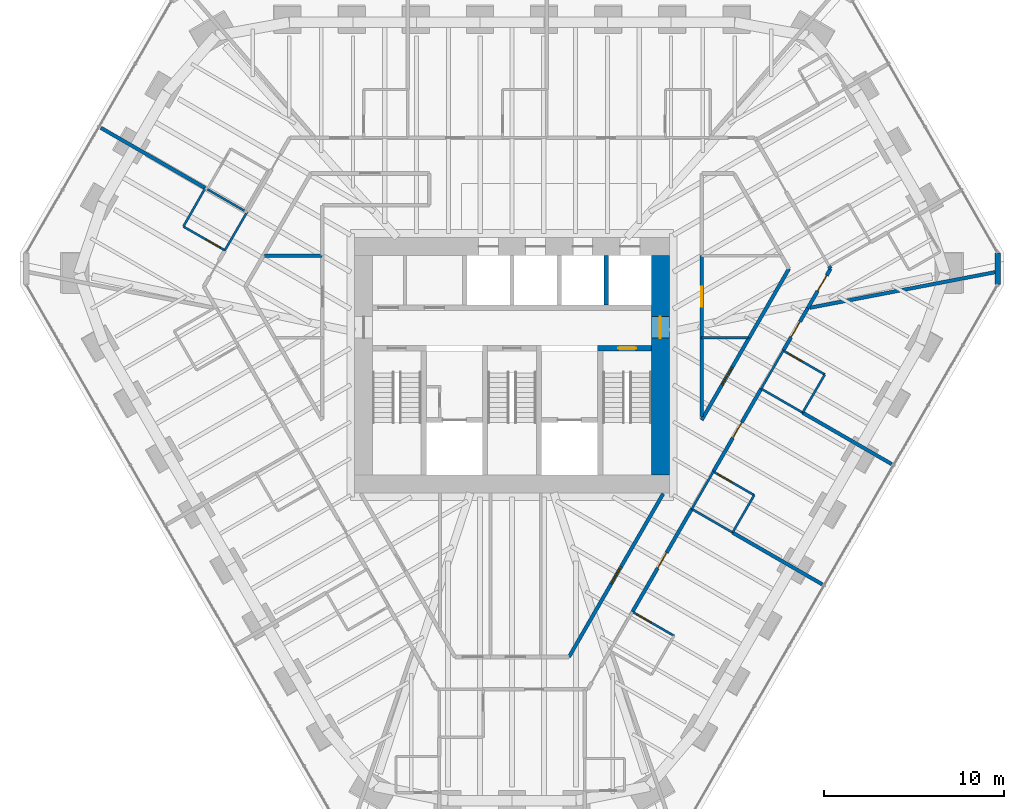
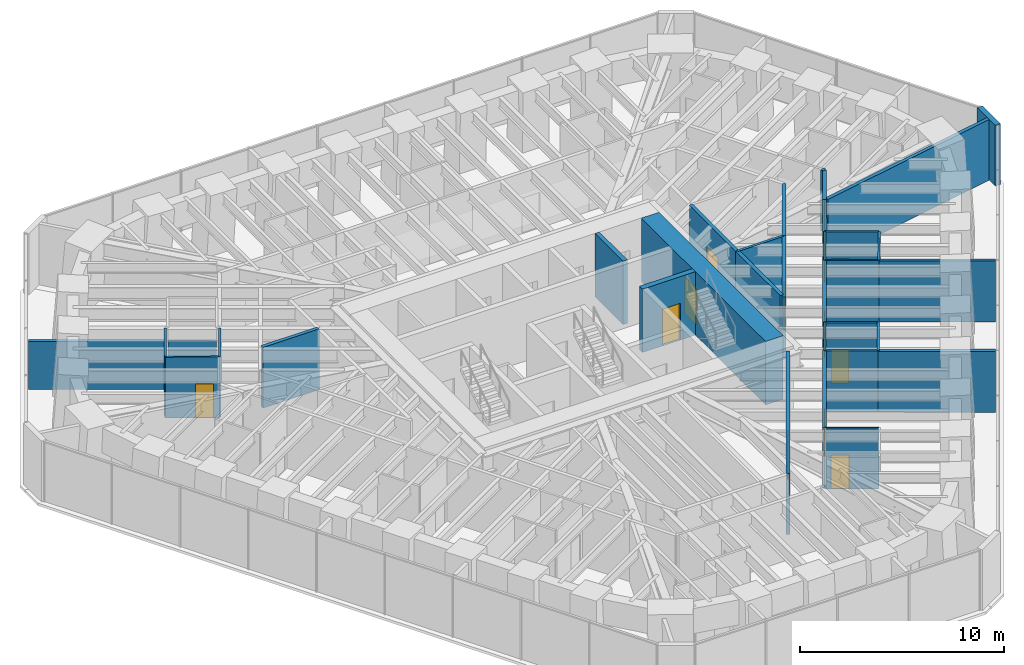
# One storey, part 13 of 16: 33 walls, 13 doors, 13 openings.
"""IFC4 building model written with IfcOpenShell, lengths in metres."""

from ifc_helpers import new_model, si_unit, direction, frame, frame_2d, origin, place, context, subcontext, project, spatial, rectangle, extrude, material, layer, layer_set, type_object, element, fill, save


model = new_model("IFC4")

# Units and contexts
model_context = context("Model", 3, precision=1e-05, world=origin(), true_north=direction((0.0, 1.0)))
body_context = subcontext(model_context, "Body", "Model", "MODEL_VIEW")
ifc_project = project(units=[si_unit("LENGTHUNIT", "METRE"), si_unit("AREAUNIT", "SQUARE_METRE"), si_unit("VOLUMEUNIT", "CUBIC_METRE"), si_unit("PLANEANGLEUNIT", "RADIAN"), si_unit("MASSUNIT", "GRAM", prefix="KILO")], contexts=[model_context])

# Site, building, storey
site_placement = place(None, origin())
site = spatial("IfcSite", under=ifc_project, at=site_placement, CompositionType="ELEMENT")
building_placement = place(site_placement, origin())
building = spatial("IfcBuilding", under=site, at=building_placement, Name="Sandreach Pilgrim Tower", CompositionType="ELEMENT")
storey_placement = place(building_placement, frame((0.0, 0.0, 244.0)))
storey = spatial("IfcBuildingStorey", under=building, at=storey_placement, Name="L61", CompositionType="ELEMENT", Elevation=244.0)

# Wall
ifc_material_1 = material(Name="Gypsum board on steel studs", Category="steel")
ifc_layer_1 = layer(ifc_material_1, 0.14990234375)
ifc_layer_set_1 = layer_set([ifc_layer_1], Name="Back of house wall 150")
wall_type_1 = type_object("IfcWallType", Name="Back of house wall 150", PredefinedType="PARTITIONING", material=ifc_layer_set_1)
wall_1_placement = place(storey_placement, frame((10.550048828125, 1.52001953125, 0.0), z_axis=(0.0, 0.0, 1.0), x_axis=(1.0, 0.0, 0.0)))
element("IfcWall", 1, at=wall_1_placement, inside=storey, type_object=wall_type_1, Name="Back of house wall L61-101", PredefinedType="PARTITIONING", context=body_context, shape_type="SweptSolid", body=[
    extrude(rectangle(XDim=2.5849609375, YDim=0.14990234375, at=frame_2d((1.29248046875, 0.0))), origin(), (0.0, 0.0, 1.0), 3.639892578125),
])

# Wall, opening, door
ifc_material_2 = material(Name="Moisture-resistant gypsum board on steel studs", Category="steel")
ifc_layer_2 = layer(ifc_material_2, 0.1201171875)
ifc_layer_set_2 = layer_set([ifc_layer_2], Name="Bathroom partition 120")
wall_type_2 = type_object("IfcWallType", Name="Bathroom partition 120", PredefinedType="PARTITIONING", material=ifc_layer_set_2)
wall_2_placement = place(storey_placement, frame((-18.280029296875, 7.7099609375, 0.0), z_axis=(0.0, 0.0, 1.0), x_axis=(0.868277022428, -0.496079643125, 0.0)))
wall_2 = element("IfcWall", 2, at=wall_2_placement, inside=storey, type_object=wall_type_2, Name="Bathroom partition L61-005", PredefinedType="PARTITIONING", context=body_context, shape_type="SweptSolid", body=[
    extrude(rectangle(XDim=2.660400390625, YDim=0.1201171875, at=frame_2d((1.330078125, 0.0))), origin(), (0.0, 0.0, 1.0), 3.639892578125),
])
opening_1_placement = place(wall_2_placement, frame((1.46044921875, 0.0, 0.0)))
opening_1 = element("IfcOpeningElement", 3, at=opening_1_placement, cuts=wall_2, Name="Opening D09-16B", PredefinedType="OPENING", context=body_context, shape_type="SweptSolid", body=[
    extrude(rectangle(XDim=0.89990234375, YDim=2.030029296875, at=frame_2d((0.449951171875, 1.01513671875))), frame((0.0, 0.06005859375, 0.0), z_axis=(0.0, -1.0, 0.0), x_axis=(1.0, 0.0, 0.0)), (0.0, 0.0, 1.0), 0.1201171875),
])
ifc_material_3 = material(Name="Timber door, steel frame", Category="steel")
door_type_1 = type_object("IfcDoorType", Name="Bathroom door", OperationType="SINGLE_SWING_LEFT", PredefinedType="DOOR", material=ifc_material_3)
door_1_placement = place(opening_1_placement, origin())
door_1 = element("IfcDoor", 4, at=door_1_placement, inside=storey, type_object=door_type_1, Name="Door 6116B", OperationType="SINGLE_SWING_RIGHT", OverallHeight=2.030029296875, OverallWidth=0.89990234375, PredefinedType="DOOR", context=body_context, shape_type="SweptSolid", body=[
    extrude(rectangle(XDim=0.89990234375, YDim=2.030029296875, at=frame_2d((0.449951171875, 1.01513671875))), frame((0.0, 0.02490234375, 0.0), z_axis=(0.0, -1.0, 0.0), x_axis=(1.0, 0.0, 0.0)), (0.0, 0.0, 1.0), 0.050048828125),
])
fill(opening_1, door_1)

# Walls
wall_3_placement = place(storey_placement, frame((-17.06005859375, 9.85009765625, 0.0), z_axis=(0.0, 0.0, 1.0), x_axis=(-0.495231468673, -0.868761067518, 0.0)))
element("IfcWall", 5, at=wall_3_placement, inside=storey, type_object=wall_type_2, Name="Bathroom partition L61-009", PredefinedType="PARTITIONING", context=body_context, shape_type="SweptSolid", body=[
    extrude(rectangle(XDim=2.46337890625, YDim=0.1201171875, at=frame_2d((1.231689453125, 0.0))), origin(), (0.0, 0.0, 1.0), 3.639892578125),
])
wall_4_placement = place(storey_placement, frame((-16.95166015625, 9.787109375, 0.0), z_axis=(0.0, 0.0, 1.0), x_axis=(0.865015303714, -0.501745477648, 0.0)))
element("IfcWall", 6, at=wall_4_placement, inside=storey, type_object=wall_type_2, Name="Bathroom partition L61-011", PredefinedType="PARTITIONING", context=body_context, shape_type="SweptSolid", body=[
    extrude(rectangle(XDim=2.4013671875, YDim=0.1201171875, at=frame_2d((1.20068359375, 0.0))), origin(), (0.0, 0.0, 1.0), 2.8779296875),
])
wall_5_placement = place(storey_placement, frame((-14.739990234375, 8.510009765625, 0.0), z_axis=(0.0, 0.0, 1.0), x_axis=(-0.501813488763, -0.864975850817, 0.0)))
element("IfcWall", 7, at=wall_5_placement, inside=storey, type_object=wall_type_2, Name="Bathroom partition L61-021", PredefinedType="PARTITIONING", context=body_context, shape_type="SweptSolid", body=[
    extrude(rectangle(XDim=2.451171875, YDim=0.1201171875, at=frame_2d((1.2255859375, 0.0))), origin(), (0.0, 0.0, 1.0), 3.639892578125),
])

# Wall, opening, door
wall_6_placement = place(storey_placement, frame((9.010009765625, -15.050048828125, 0.0), z_axis=(0.0, 0.0, 1.0), x_axis=(-0.866615255992, 0.498976951453, 0.0)))
wall_6 = element("IfcWall", 8, at=wall_6_placement, inside=storey, type_object=wall_type_2, Name="Bathroom partition L61-096", PredefinedType="PARTITIONING", context=body_context, shape_type="SweptSolid", body=[
    extrude(rectangle(XDim=2.66552734375, YDim=0.1201171875, at=frame_2d((1.332763671875, 0.0))), origin(), (0.0, 0.0, 1.0), 3.639892578125),
])
opening_2_placement = place(wall_6_placement, frame((1.465576171875, 0.0, 0.0)))
opening_2 = element("IfcOpeningElement", 9, at=opening_2_placement, cuts=wall_6, Name="Opening D09-09B", PredefinedType="OPENING", context=body_context, shape_type="SweptSolid", body=[
    extrude(rectangle(XDim=0.89990234375, YDim=2.030029296875, at=frame_2d((0.449951171875, 1.01513671875))), frame((0.0, 0.06005859375, 0.0), z_axis=(0.0, -1.0, 0.0), x_axis=(1.0, 0.0, 0.0)), (0.0, 0.0, 1.0), 0.1201171875),
])
door_2_placement = place(opening_2_placement, origin())
door_2 = element("IfcDoor", 10, at=door_2_placement, inside=storey, type_object=door_type_1, Name="Door 6109B", OperationType="SINGLE_SWING_RIGHT", OverallHeight=2.030029296875, OverallWidth=0.89990234375, PredefinedType="DOOR", context=body_context, shape_type="SweptSolid", body=[
    extrude(rectangle(XDim=0.89990234375, YDim=2.030029296875, at=frame_2d((0.449951171875, 1.01513671875))), frame((0.0, 0.02490234375, 0.0), z_axis=(0.0, -1.0, 0.0), x_axis=(1.0, 0.0, 0.0)), (0.0, 0.0, 1.0), 0.050048828125),
])
fill(opening_2, door_2)

# Walls
wall_7_placement = place(storey_placement, frame((10.0, -8.0, 0.0), z_axis=(0.0, 0.0, 1.0), x_axis=(0.499693115345, 0.866202511239, 0.0)))
element("IfcWall", 11, at=wall_7_placement, inside=storey, type_object=wall_type_2, Name="Bathroom partition L61-097", PredefinedType="PARTITIONING", context=body_context, shape_type="SweptSolid", body=[
    extrude(rectangle(XDim=2.4013671875, YDim=0.1201171875, at=frame_2d((1.20068359375, 0.0))), origin(), (0.0, 0.0, 1.0), 3.639892578125),
])
wall_8_placement = place(storey_placement, frame((10.0, -8.0, 0.0), z_axis=(0.0, 0.0, 1.0), x_axis=(0.866010296064, -0.500026166427, 0.0)))
element("IfcWall", 12, at=wall_8_placement, inside=storey, type_object=wall_type_2, Name="Bathroom partition L61-098", PredefinedType="PARTITIONING", context=body_context, shape_type="SweptSolid", body=[
    extrude(rectangle(XDim=2.620849609375, YDim=0.1201171875, at=frame_2d((1.310546875, 0.0))), origin(), (0.0, 0.0, 1.0), 3.639892578125),
])
wall_9_placement = place(storey_placement, frame((12.27001953125, -9.31005859375, 0.0), z_axis=(0.0, 0.0, 1.0), x_axis=(0.499693115345, 0.866202511239, 0.0)))
element("IfcWall", 13, at=wall_9_placement, inside=storey, type_object=wall_type_2, Name="Bathroom partition L61-110", PredefinedType="PARTITIONING", context=body_context, shape_type="SweptSolid", body=[
    extrude(rectangle(XDim=2.4013671875, YDim=0.1201171875, at=frame_2d((1.20068359375, 0.0))), origin(), (0.0, 0.0, 1.0), 3.639892578125),
])

# Wall, opening, door
wall_10_placement = place(storey_placement, frame((13.469970703125, -7.22998046875, 0.0), z_axis=(0.0, 0.0, 1.0), x_axis=(-0.866114241029, 0.499846097802, 0.0)))
wall_10 = element("IfcWall", 14, at=wall_10_placement, inside=storey, type_object=wall_type_2, Name="Bathroom partition L61-113", PredefinedType="PARTITIONING", context=body_context, shape_type="SweptSolid", body=[
    extrude(rectangle(XDim=2.620849609375, YDim=0.1201171875, at=frame_2d((1.310546875, 0.0))), origin(), (0.0, 0.0, 1.0), 3.639892578125),
])
opening_3_placement = place(wall_10_placement, frame((1.4208984375, 0.0, 0.0)))
opening_3 = element("IfcOpeningElement", 15, at=opening_3_placement, cuts=wall_10, Name="Opening D09-08B", PredefinedType="OPENING", context=body_context, shape_type="SweptSolid", body=[
    extrude(rectangle(XDim=0.89990234375, YDim=2.030029296875, at=frame_2d((0.449951171875, 1.01513671875))), frame((0.0, 0.06005859375, 0.0), z_axis=(0.0, -1.0, 0.0), x_axis=(1.0, 0.0, 0.0)), (0.0, 0.0, 1.0), 0.1201171875),
])
door_3_placement = place(opening_3_placement, origin())
door_3 = element("IfcDoor", 16, at=door_3_placement, inside=storey, type_object=door_type_1, Name="Door 6108B", OperationType="SINGLE_SWING_RIGHT", OverallHeight=2.030029296875, OverallWidth=0.89990234375, PredefinedType="DOOR", context=body_context, shape_type="SweptSolid", body=[
    extrude(rectangle(XDim=0.89990234375, YDim=2.030029296875, at=frame_2d((0.449951171875, 1.01513671875))), frame((0.0, 0.02490234375, 0.0), z_axis=(0.0, -1.0, 0.0), x_axis=(1.0, 0.0, 0.0)), (0.0, 0.0, 1.0), 0.050048828125),
])
fill(opening_3, door_3)

# Walls
wall_11_placement = place(storey_placement, frame((13.860107421875, -1.31005859375, 0.0), z_axis=(0.0, 0.0, 1.0), x_axis=(0.501813488763, 0.864975850817, 0.0)))
element("IfcWall", 17, at=wall_11_placement, inside=storey, type_object=wall_type_2, Name="Bathroom partition L61-118", PredefinedType="PARTITIONING", context=body_context, shape_type="SweptSolid", body=[
    extrude(rectangle(XDim=2.451171875, YDim=0.1201171875, at=frame_2d((1.2255859375, 0.0))), origin(), (0.0, 0.0, 1.0), 3.639892578125),
])
wall_12_placement = place(storey_placement, frame((16.169921875, -2.639892578125, 0.0), z_axis=(0.0, 0.0, 1.0), x_axis=(-0.86663205897, 0.498947767172, 0.0)))
element("IfcWall", 18, at=wall_12_placement, inside=storey, type_object=wall_type_2, Name="Bathroom partition L61-125", PredefinedType="PARTITIONING", context=body_context, shape_type="SweptSolid", body=[
    extrude(rectangle(XDim=2.665283203125, YDim=0.1201171875, at=frame_2d((1.33251953125, 0.0))), origin(), (0.0, 0.0, 1.0), 3.639892578125),
])
wall_13_placement = place(storey_placement, frame((16.169921875, -2.639892578125, 0.0), z_axis=(0.0, 0.0, 1.0), x_axis=(0.501856726365, 0.86495076519, 0.0)))
element("IfcWall", 19, at=wall_13_placement, inside=storey, type_object=wall_type_2, Name="Bathroom partition L61-126", PredefinedType="PARTITIONING", context=body_context, shape_type="SweptSolid", body=[
    extrude(rectangle(XDim=2.450927734375, YDim=0.1201171875, at=frame_2d((1.2255859375, 0.0))), origin(), (0.0, 0.0, 1.0), 3.639892578125),
])

# Wall, opening, door
wall_14_placement = place(storey_placement, frame((17.39990234375, -0.52001953125, 0.0), z_axis=(0.0, 0.0, 1.0), x_axis=(-0.866592449628, 0.499016559092, 0.0)))
wall_14 = element("IfcWall", 20, at=wall_14_placement, inside=storey, type_object=wall_type_2, Name="Bathroom partition L61-130", PredefinedType="PARTITIONING", context=body_context, shape_type="SweptSolid", body=[
    extrude(rectangle(XDim=2.665283203125, YDim=0.1201171875, at=frame_2d((1.33251953125, 0.0))), origin(), (0.0, 0.0, 1.0), 3.639892578125),
])
opening_4_placement = place(wall_14_placement, frame((1.465576171875, 0.0, 0.0)))
opening_4 = element("IfcOpeningElement", 21, at=opening_4_placement, cuts=wall_14, Name="Opening D09-07B", PredefinedType="OPENING", context=body_context, shape_type="SweptSolid", body=[
    extrude(rectangle(XDim=0.89990234375, YDim=2.030029296875, at=frame_2d((0.449951171875, 1.01513671875))), frame((0.0, 0.06005859375, 0.0), z_axis=(0.0, -1.0, 0.0), x_axis=(1.0, 0.0, 0.0)), (0.0, 0.0, 1.0), 0.1201171875),
])
door_4_placement = place(opening_4_placement, origin())
door_4 = element("IfcDoor", 22, at=door_4_placement, inside=storey, type_object=door_type_1, Name="Door 6107B", OperationType="SINGLE_SWING_RIGHT", OverallHeight=2.030029296875, OverallWidth=0.89990234375, PredefinedType="DOOR", context=body_context, shape_type="SweptSolid", body=[
    extrude(rectangle(XDim=0.89990234375, YDim=2.030029296875, at=frame_2d((0.449951171875, 1.01513671875))), frame((0.0, 0.02490234375, 0.0), z_axis=(0.0, -1.0, 0.0), x_axis=(1.0, 0.0, 0.0)), (0.0, 0.0, 1.0), 0.050048828125),
])
fill(opening_4, door_4)

ifc_material_4 = material(Name="Concrete 10000 psi", Category="concrete")
ifc_layer_3 = layer(ifc_material_4, 0.300048828125)
ifc_layer_set_3 = layer_set([ifc_layer_3], Name="Core inner wall 300")
wall_type_3 = type_object("IfcWallType", Name="Core inner wall 300", PredefinedType="SHEAR", material=ifc_layer_set_3)
wall_15_placement = place(storey_placement, frame((4.75, 0.949951171875, 0.0), z_axis=(0.0, 0.0, 1.0), x_axis=(1.0, 0.0, 0.0)))
wall_15 = element("IfcWall", 23, at=wall_15_placement, inside=storey, type_object=wall_type_3, Name="Core wall SN2 L61", PredefinedType="SHEAR", context=body_context, shape_type="SweptSolid", body=[
    extrude(rectangle(XDim=3.0, YDim=0.300048828125, at=frame_2d((1.5, 0.0))), origin(), (0.0, 0.0, 1.0), 3.800048828125),
])
opening_5_placement = place(wall_15_placement, frame((1.14990234375, 0.0, 0.0)))
opening_5 = element("IfcOpeningElement", 24, at=opening_5_placement, cuts=wall_15, Name="Opening D10S-ST2", PredefinedType="OPENING", context=body_context, shape_type="SweptSolid", body=[
    extrude(rectangle(XDim=1.0, YDim=2.199951171875, at=frame_2d((0.5, 1.10009765625))), frame((0.0, 0.14990234375, 0.0), z_axis=(0.0, -1.0, 0.0), x_axis=(1.0, 0.0, 0.0)), (0.0, 0.0, 1.0), 0.300048828125),
])
ifc_material_5 = material(Name="Steel door and frame", Category="steel")
door_type_2 = type_object("IfcDoorType", Name="Stair door", OperationType="SINGLE_SWING_LEFT", PredefinedType="DOOR", material=ifc_material_5)
door_5_placement = place(opening_5_placement, origin())
door_5 = element("IfcDoor", 25, at=door_5_placement, inside=storey, type_object=door_type_2, Name="Stair door ST2 L61", OperationType="SINGLE_SWING_RIGHT", OverallHeight=2.199951171875, OverallWidth=1.0, PredefinedType="DOOR", context=body_context, shape_type="SweptSolid", body=[
    extrude(rectangle(XDim=1.0, YDim=2.199951171875, at=frame_2d((0.5, 1.10009765625))), frame((0.0, 0.02490234375, 0.0), z_axis=(0.0, -1.0, 0.0), x_axis=(1.0, 0.0, 0.0)), (0.0, 0.0, 1.0), 0.050048828125),
])
fill(opening_5, door_5)

ifc_material_6 = material(Name="Concrete 10000 psi", Category="concrete")
ifc_layer_4 = layer(ifc_material_6, 1.0)
ifc_layer_set_4 = layer_set([ifc_layer_4], Name="Core wall 1000")
wall_type_4 = type_object("IfcWallType", Name="Core wall 1000", PredefinedType="SHEAR", material=ifc_layer_set_4)
wall_16_placement = place(storey_placement, frame((8.25, -6.10009765625, 0.0), z_axis=(0.0, 0.0, 1.0), x_axis=(0.0, 1.0, 0.0)))
wall_16 = element("IfcWall", 26, at=wall_16_placement, inside=storey, type_object=wall_type_4, Name="Core wall E L61", PredefinedType="SHEAR", context=body_context, shape_type="SweptSolid", body=[
    extrude(rectangle(XDim=12.2001953125, YDim=1.0, at=frame_2d((6.10009765625, 0.0))), origin(), (0.0, 0.0, 1.0), 3.800048828125),
])
opening_6_placement = place(wall_16_placement, frame((7.60009765625, 0.0, 0.0)))
opening_6 = element("IfcOpeningElement", 27, at=opening_6_placement, cuts=wall_16, Name="Opening D12F-E", PredefinedType="OPENING", context=body_context, shape_type="SweptSolid", body=[
    extrude(rectangle(XDim=1.199951171875, YDim=2.199951171875, at=frame_2d((0.60009765625, 1.10009765625))), frame((0.0, 0.5, 0.0), z_axis=(0.0, -1.0, 0.0), x_axis=(1.0, 0.0, 0.0)), (0.0, 0.0, 1.0), 1.0),
])
ifc_material_7 = material(Name="Steel door and frame", Category="steel")
door_type_3 = type_object("IfcDoorType", Name="Fire lobby door", OperationType="SINGLE_SWING_LEFT", PredefinedType="DOOR", material=ifc_material_7)
door_6_placement = place(opening_6_placement, origin())
door_6 = element("IfcDoor", 28, at=door_6_placement, inside=storey, type_object=door_type_3, Name="Fire service lobby door E L61", OperationType="SINGLE_SWING_RIGHT", OverallHeight=2.199951171875, OverallWidth=1.199951171875, PredefinedType="DOOR", context=body_context, shape_type="SweptSolid", body=[
    extrude(rectangle(XDim=1.199951171875, YDim=2.199951171875, at=frame_2d((0.60009765625, 1.10009765625))), frame((0.0, 0.02490234375, 0.0), z_axis=(0.0, -1.0, 0.0), x_axis=(1.0, 0.0, 0.0)), (0.0, 0.0, 1.0), 0.050048828125),
])
fill(opening_6, door_6)

ifc_material_8 = material(Name="Gypsum board on steel studs, two layers each side", Category="steel")
ifc_layer_5 = layer(ifc_material_8, 0.199951171875)
ifc_layer_set_5 = layer_set([ifc_layer_5], Name="Corridor wall 200")
wall_type_5 = type_object("IfcWallType", Name="Corridor wall 200", PredefinedType="PARTITIONING", material=ifc_layer_set_5)
wall_17_placement = place(storey_placement, frame((6.699951171875, -13.719970703125, 0.0), z_axis=(0.0, 0.0, 1.0), x_axis=(0.499729921425, 0.866181277581, 0.0)))
wall_17 = element("IfcWall", 29, at=wall_17_placement, inside=storey, type_object=wall_type_5, Name="Corridor wall L61-091", PredefinedType="PARTITIONING", context=body_context, shape_type="SweptSolid", body=[
    extrude(rectangle(XDim=6.603759765625, YDim=0.199951171875, at=frame_2d((3.3017578125, 0.0))), origin(), (0.0, 0.0, 1.0), 3.639892578125),
])
opening_7_placement = place(wall_17_placement, frame((2.8017578125, 0.0, 0.0)))
opening_7 = element("IfcOpeningElement", 30, at=opening_7_placement, cuts=wall_17, Name="Opening D10-09", PredefinedType="OPENING", context=body_context, shape_type="SweptSolid", body=[
    extrude(rectangle(XDim=1.0, YDim=2.1298828125, at=frame_2d((0.5, 1.06494140625))), frame((0.0, 0.10009765625, 0.0), z_axis=(0.0, -1.0, 0.0), x_axis=(1.0, 0.0, 0.0)), (0.0, 0.0, 1.0), 0.199951171875),
])
ifc_material_9 = material(Name="Steel door and frame", Category="steel")
door_type_4 = type_object("IfcDoorType", Name="Guest room entry door", OperationType="SINGLE_SWING_LEFT", PredefinedType="DOOR", material=ifc_material_9)
door_7_placement = place(opening_7_placement, origin())
door_7 = element("IfcDoor", 31, at=door_7_placement, inside=storey, type_object=door_type_4, Name="Door 6109", OperationType="SINGLE_SWING_LEFT", OverallHeight=2.1298828125, OverallWidth=1.0, PredefinedType="DOOR", context=body_context, shape_type="SweptSolid", body=[
    extrude(rectangle(XDim=1.0, YDim=2.1298828125, at=frame_2d((0.5, 1.06494140625))), frame((0.0, 0.02490234375, 0.0), z_axis=(0.0, -1.0, 0.0), x_axis=(1.0, 0.0, 0.0)), (0.0, 0.0, 1.0), 0.050048828125),
])
fill(opening_7, door_7)

wall_18_placement = place(storey_placement, frame((8.409912109375, -7.14990234375, 0.0), z_axis=(0.0, 0.0, 1.0), x_axis=(-0.499828628176, -0.866124322748, 0.0)))
wall_18 = element("IfcWall", 32, at=wall_18_placement, inside=storey, type_object=wall_type_5, Name="Corridor wall L61-093", PredefinedType="PARTITIONING", context=body_context, shape_type="SweptSolid", body=[
    extrude(rectangle(XDim=10.483642578125, YDim=0.199951171875, at=frame_2d((5.24169921875, 0.0))), origin(), (0.0, 0.0, 1.0), 3.639892578125),
])
opening_8_placement = place(wall_18_placement, frame((4.691650390625, 0.0, 0.0)))
opening_8 = element("IfcOpeningElement", 33, at=opening_8_placement, cuts=wall_18, Name="Opening D11H-S4", PredefinedType="OPENING", context=body_context, shape_type="SweptSolid", body=[
    extrude(rectangle(XDim=1.10009765625, YDim=2.199951171875, at=frame_2d((0.550048828125, 1.10009765625))), frame((0.0, 0.10009765625, 0.0), z_axis=(0.0, -1.0, 0.0), x_axis=(1.0, 0.0, 0.0)), (0.0, 0.0, 1.0), 0.199951171875),
])
ifc_material_10 = material(Name="Steel door and frame", Category="steel")
door_type_5 = type_object("IfcDoorType", Name="Back of house door", OperationType="SINGLE_SWING_LEFT", PredefinedType="DOOR", material=ifc_material_10)
door_8_placement = place(opening_8_placement, origin())
door_8 = element("IfcDoor", 34, at=door_8_placement, inside=storey, type_object=door_type_5, Name="Door 61S4", OperationType="SINGLE_SWING_LEFT", OverallHeight=2.199951171875, OverallWidth=1.10009765625, PredefinedType="DOOR", context=body_context, shape_type="SweptSolid", body=[
    extrude(rectangle(XDim=1.10009765625, YDim=2.199951171875, at=frame_2d((0.550048828125, 1.10009765625))), frame((0.0, 0.02490234375, 0.0), z_axis=(0.0, -1.0, 0.0), x_axis=(1.0, 0.0, 0.0)), (0.0, 0.0, 1.0), 0.050048828125),
])
fill(opening_8, door_8)

# Wall
wall_19_placement = place(storey_placement, frame((10.550048828125, -2.85498046875, 0.0), z_axis=(0.0, 0.0, 1.0), x_axis=(0.0, 1.0, 0.0)))
element("IfcWall", 35, at=wall_19_placement, inside=storey, type_object=wall_type_5, Name="Corridor wall L61-099", PredefinedType="PARTITIONING", context=body_context, shape_type="SweptSolid", body=[
    extrude(rectangle(XDim=4.375, YDim=0.199951171875, at=frame_2d((2.1875, 0.0))), origin(), (0.0, 0.0, 1.0), 3.639892578125),
])

# Wall, opening, door
wall_20_placement = place(storey_placement, frame((10.550048828125, 1.52001953125, 0.0), z_axis=(0.0, 0.0, 1.0), x_axis=(0.0, 1.0, 0.0)))
wall_20 = element("IfcWall", 36, at=wall_20_placement, inside=storey, type_object=wall_type_5, Name="Corridor wall L61-100", PredefinedType="PARTITIONING", context=body_context, shape_type="SweptSolid", body=[
    extrude(rectangle(XDim=4.570068359375, YDim=0.199951171875, at=frame_2d((2.28515625, 0.0))), origin(), (0.0, 0.0, 1.0), 3.639892578125),
])
opening_9_placement = place(wall_20_placement, frame((1.735107421875, 0.0, 0.0)))
opening_9 = element("IfcOpeningElement", 37, at=opening_9_placement, cuts=wall_20, Name="Opening D11H-M06", PredefinedType="OPENING", context=body_context, shape_type="SweptSolid", body=[
    extrude(rectangle(XDim=1.10009765625, YDim=2.199951171875, at=frame_2d((0.550048828125, 1.10009765625))), frame((0.0, 0.10009765625, 0.0), z_axis=(0.0, -1.0, 0.0), x_axis=(1.0, 0.0, 0.0)), (0.0, 0.0, 1.0), 0.199951171875),
])
door_9_placement = place(opening_9_placement, origin())
door_9 = element("IfcDoor", 38, at=door_9_placement, inside=storey, type_object=door_type_5, Name="Door 61M06", OperationType="SINGLE_SWING_LEFT", OverallHeight=2.199951171875, OverallWidth=1.10009765625, PredefinedType="DOOR", context=body_context, shape_type="SweptSolid", body=[
    extrude(rectangle(XDim=1.10009765625, YDim=2.199951171875, at=frame_2d((0.550048828125, 1.10009765625))), frame((0.0, 0.02490234375, 0.0), z_axis=(0.0, -1.0, 0.0), x_axis=(1.0, 0.0, 0.0)), (0.0, 0.0, 1.0), 0.050048828125),
])
fill(opening_9, door_9)

wall_21_placement = place(storey_placement, frame((11.199951171875, -5.919921875, 0.0), z_axis=(0.0, 0.0, 1.0), x_axis=(0.499809814479, 0.866135179606, 0.0)))
wall_21 = element("IfcWall", 39, at=wall_21_placement, inside=storey, type_object=wall_type_5, Name="Corridor wall L61-108", PredefinedType="PARTITIONING", context=body_context, shape_type="SweptSolid", body=[
    extrude(rectangle(XDim=5.322265625, YDim=0.199951171875, at=frame_2d((2.6611328125, 0.0))), origin(), (0.0, 0.0, 1.0), 3.639892578125),
])
opening_10_placement = place(wall_21_placement, frame((2.1611328125, 0.0, 0.0)))
opening_10 = element("IfcOpeningElement", 40, at=opening_10_placement, cuts=wall_21, Name="Opening D10-08", PredefinedType="OPENING", context=body_context, shape_type="SweptSolid", body=[
    extrude(rectangle(XDim=1.0, YDim=2.1298828125, at=frame_2d((0.5, 1.06494140625))), frame((0.0, 0.10009765625, 0.0), z_axis=(0.0, -1.0, 0.0), x_axis=(1.0, 0.0, 0.0)), (0.0, 0.0, 1.0), 0.199951171875),
])
door_10_placement = place(opening_10_placement, origin())
door_10 = element("IfcDoor", 41, at=door_10_placement, inside=storey, type_object=door_type_4, Name="Door 6108", OperationType="SINGLE_SWING_LEFT", OverallHeight=2.1298828125, OverallWidth=1.0, PredefinedType="DOOR", context=body_context, shape_type="SweptSolid", body=[
    extrude(rectangle(XDim=1.0, YDim=2.1298828125, at=frame_2d((0.5, 1.06494140625))), frame((0.0, 0.02490234375, 0.0), z_axis=(0.0, -1.0, 0.0), x_axis=(1.0, 0.0, 0.0)), (0.0, 0.0, 1.0), 0.050048828125),
])
fill(opening_10, door_10)

wall_22_placement = place(storey_placement, frame((13.18994140625, 1.52001953125, 0.0), z_axis=(0.0, 0.0, 1.0), x_axis=(-0.500193590286, -0.865913605527, 0.0)))
wall_22 = element("IfcWall", 42, at=wall_22_placement, inside=storey, type_object=wall_type_5, Name="Corridor wall L61-112", PredefinedType="PARTITIONING", context=body_context, shape_type="SweptSolid", body=[
    extrude(rectangle(XDim=5.27783203125, YDim=0.199951171875, at=frame_2d((2.638916015625, 0.0))), origin(), (0.0, 0.0, 1.0), 3.639892578125),
])
opening_11_placement = place(wall_22_placement, frame((1.89990234375, 0.0, 0.0)))
opening_11 = element("IfcOpeningElement", 43, at=opening_11_placement, cuts=wall_22, Name="Opening D11H-M04", PredefinedType="OPENING", context=body_context, shape_type="SweptSolid", body=[
    extrude(rectangle(XDim=1.10009765625, YDim=2.199951171875, at=frame_2d((0.550048828125, 1.10009765625))), frame((0.0, 0.10009765625, 0.0), z_axis=(0.0, -1.0, 0.0), x_axis=(1.0, 0.0, 0.0)), (0.0, 0.0, 1.0), 0.199951171875),
])
door_11_placement = place(opening_11_placement, origin())
door_11 = element("IfcDoor", 44, at=door_11_placement, inside=storey, type_object=door_type_5, Name="Door 61M04", OperationType="SINGLE_SWING_LEFT", OverallHeight=2.199951171875, OverallWidth=1.10009765625, PredefinedType="DOOR", context=body_context, shape_type="SweptSolid", body=[
    extrude(rectangle(XDim=1.10009765625, YDim=2.199951171875, at=frame_2d((0.550048828125, 1.10009765625))), frame((0.0, 0.02490234375, 0.0), z_axis=(0.0, -1.0, 0.0), x_axis=(1.0, 0.0, 0.0)), (0.0, 0.0, 1.0), 0.050048828125),
])
fill(opening_11, door_11)

wall_23_placement = place(storey_placement, frame((15.090087890625, 0.81005859375, 0.0), z_axis=(0.0, 0.0, 1.0), x_axis=(0.499282656393, 0.866439166373, 0.0)))
wall_23 = element("IfcWall", 45, at=wall_23_placement, inside=storey, type_object=wall_type_5, Name="Corridor wall L61-121", PredefinedType="PARTITIONING", context=body_context, shape_type="SweptSolid", body=[
    extrude(rectangle(XDim=2.7236328125, YDim=0.199951171875, at=frame_2d((1.36181640625, 0.0))), origin(), (0.0, 0.0, 1.0), 3.639892578125),
])
opening_12_placement = place(wall_23_placement, frame((0.86181640625, 0.0, 0.0)))
opening_12 = element("IfcOpeningElement", 46, at=opening_12_placement, cuts=wall_23, Name="Opening D10-07", PredefinedType="OPENING", context=body_context, shape_type="SweptSolid", body=[
    extrude(rectangle(XDim=1.0, YDim=2.1298828125, at=frame_2d((0.5, 1.06494140625))), frame((0.0, 0.10009765625, 0.0), z_axis=(0.0, -1.0, 0.0), x_axis=(1.0, 0.0, 0.0)), (0.0, 0.0, 1.0), 0.199951171875),
])
door_12_placement = place(opening_12_placement, origin())
door_12 = element("IfcDoor", 47, at=door_12_placement, inside=storey, type_object=door_type_4, Name="Door 6107", OperationType="SINGLE_SWING_LEFT", OverallHeight=2.1298828125, OverallWidth=1.0, PredefinedType="DOOR", context=body_context, shape_type="SweptSolid", body=[
    extrude(rectangle(XDim=1.0, YDim=2.1298828125, at=frame_2d((0.5, 1.06494140625))), frame((0.0, 0.02490234375, 0.0), z_axis=(0.0, -1.0, 0.0), x_axis=(1.0, 0.0, 0.0)), (0.0, 0.0, 1.0), 0.050048828125),
])
fill(opening_12, door_12)

# Wall
wall_24_placement = place(storey_placement, frame((15.409912109375, 5.3701171875, 0.0), z_axis=(0.0, 0.0, 1.0), x_axis=(-0.499513190454, -0.866306281036, 0.0)))
element("IfcWall", 48, at=wall_24_placement, inside=storey, type_object=wall_type_5, Name="Corridor wall L61-122", PredefinedType="PARTITIONING", context=body_context, shape_type="SweptSolid", body=[
    extrude(rectangle(XDim=4.4443359375, YDim=0.199951171875, at=frame_2d((2.22216796875, 0.0))), origin(), (0.0, 0.0, 1.0), 3.639892578125),
])

# Wall, opening, door
wall_25_placement = place(storey_placement, frame((16.449951171875, 3.169921875, 0.0), z_axis=(0.0, 0.0, 1.0), x_axis=(0.499922110319, 0.866070368743, 0.0)))
wall_25 = element("IfcWall", 49, at=wall_25_placement, inside=storey, type_object=wall_type_5, Name="Corridor wall L61-128", PredefinedType="PARTITIONING", context=body_context, shape_type="SweptSolid", body=[
    extrude(rectangle(XDim=2.54052734375, YDim=0.199951171875, at=frame_2d((1.270263671875, 0.0))), origin(), (0.0, 0.0, 1.0), 3.639892578125),
])
opening_13_placement = place(wall_25_placement, frame((1.10009765625, 0.0, 0.0)))
opening_13 = element("IfcOpeningElement", 50, at=opening_13_placement, cuts=wall_25, Name="Opening D10-06", PredefinedType="OPENING", context=body_context, shape_type="SweptSolid", body=[
    extrude(rectangle(XDim=1.0, YDim=2.1298828125, at=frame_2d((0.5, 1.06494140625))), frame((0.0, 0.10009765625, 0.0), z_axis=(0.0, -1.0, 0.0), x_axis=(1.0, 0.0, 0.0)), (0.0, 0.0, 1.0), 0.199951171875),
])
door_13_placement = place(opening_13_placement, origin())
door_13 = element("IfcDoor", 51, at=door_13_placement, inside=storey, type_object=door_type_4, Name="Door 6106", OperationType="SINGLE_SWING_RIGHT", OverallHeight=2.1298828125, OverallWidth=1.0, PredefinedType="DOOR", context=body_context, shape_type="SweptSolid", body=[
    extrude(rectangle(XDim=1.0, YDim=2.1298828125, at=frame_2d((0.5, 1.06494140625))), frame((0.0, 0.02490234375, 0.0), z_axis=(0.0, -1.0, 0.0), x_axis=(1.0, 0.0, 0.0)), (0.0, 0.0, 1.0), 0.050048828125),
])
fill(opening_13, door_13)

# Walls
wall_26_placement = place(storey_placement, frame((17.719970703125, 5.3701171875, 0.0), z_axis=(0.0, 0.0, 1.0), x_axis=(-0.540386452408, 0.841416948994, 0.0)))
element("IfcWall", 52, at=wall_26_placement, inside=storey, type_object=wall_type_5, Name="Corridor wall L61-133", PredefinedType="PARTITIONING", context=body_context, shape_type="SweptSolid", body=[
    extrude(rectangle(XDim=0.166259765625, YDim=0.199951171875, at=frame_2d((0.0830078125, 0.0))), origin(), (0.0, 0.0, 1.0), 3.639892578125),
])
ifc_material_11 = material(Name="Double steel stud acoustic wall, gypsum board", Category="steel")
ifc_layer_6 = layer(ifc_material_11, 0.199951171875)
ifc_layer_set_6 = layer_set([ifc_layer_6], Name="Party wall 200")
wall_type_6 = type_object("IfcWallType", Name="Party wall 200", PredefinedType="PARTITIONING", material=ifc_layer_set_6)
wall_27_placement = place(storey_placement, frame((-22.865966796875, 13.199951171875, 0.0), z_axis=(0.0, 0.0, 1.0), x_axis=(0.866166787958, -0.499755035431, 0.0)))
element("IfcWall", 53, at=wall_27_placement, inside=storey, type_object=wall_type_6, Name="Party wall L61-002", PredefinedType="PARTITIONING", context=body_context, shape_type="SweptSolid", body=[
    extrude(rectangle(XDim=6.702880859375, YDim=0.199951171875, at=frame_2d((3.3515625, 0.0))), origin(), (0.0, 0.0, 1.0), 2.8779296875),
])
wall_28_placement = place(storey_placement, frame((-13.7548828125, 6.090087890625, 0.0), z_axis=(0.0, 0.0, 1.0), x_axis=(1.0, 0.0, 0.0)))
element("IfcWall", 54, at=wall_28_placement, inside=storey, type_object=wall_type_6, Name="Party wall L61-025", PredefinedType="PARTITIONING", context=body_context, shape_type="SweptSolid", body=[
    extrude(rectangle(XDim=3.19482421875, YDim=0.199951171875, at=frame_2d((1.597412109375, 0.0))), origin(), (0.0, 0.0, 1.0), 3.639892578125),
])
wall_29_placement = place(storey_placement, frame((12.269775390625, -9.310546875, 0.0), z_axis=(0.0, 0.0, 1.0), x_axis=(0.865985044037, -0.500069898618, 0.0)))
element("IfcWall", 55, at=wall_29_placement, inside=storey, type_object=wall_type_6, Name="Party wall L61-109", PredefinedType="PARTITIONING", context=body_context, shape_type="SweptSolid", body=[
    extrude(rectangle(XDim=5.758056640625, YDim=0.199951171875, at=frame_2d((2.87890625, 0.0))), origin(), (0.0, 0.0, 1.0), 3.639892578125),
])
wall_30_placement = place(storey_placement, frame((16.168212890625, -2.642822265625, 0.0), z_axis=(0.0, 0.0, 1.0), x_axis=(0.865980633471, -0.500077536441, 0.0)))
element("IfcWall", 56, at=wall_30_placement, inside=storey, type_object=wall_type_6, Name="Party wall L61-124", PredefinedType="PARTITIONING", context=body_context, shape_type="SweptSolid", body=[
    extrude(rectangle(XDim=5.71337890625, YDim=0.199951171875, at=frame_2d((2.856689453125, 0.0))), origin(), (0.0, 0.0, 1.0), 3.639892578125),
])
wall_31_placement = place(storey_placement, frame((27.04052734375, 5.204345703125, 0.0), z_axis=(0.0, 0.0, 1.0), x_axis=(-0.98204561609, -0.188643600256, 0.0)))
element("IfcWall", 57, at=wall_31_placement, inside=storey, type_object=wall_type_6, Name="Party wall L61-144", PredefinedType="PARTITIONING", context=body_context, shape_type="SweptSolid", body=[
    extrude(rectangle(XDim=10.6640625, YDim=0.199951171875, at=frame_2d((5.33203125, 0.0))), origin(), (0.0, 0.0, 1.0), 3.639892578125),
])
ifc_material_12 = material(Name="Gypsum shaft wall on steel studs, two layers of shaft liner board", Category="steel")
ifc_layer_7 = layer(ifc_material_12, 0.25)
ifc_layer_set_7 = layer_set([ifc_layer_7], Name="Shaft partition 250")
wall_type_7 = type_object("IfcWallType", Name="Shaft partition 250", PredefinedType="PARTITIONING", material=ifc_layer_set_7)
wall_32_placement = place(storey_placement, frame((5.25, 3.35009765625, 0.0), z_axis=(0.0, 0.0, 1.0), x_axis=(0.0, 1.0, 0.0)))
element("IfcWall", 58, at=wall_32_placement, inside=storey, type_object=wall_type_7, Name="Shaft partition NS4 L61", PredefinedType="PARTITIONING", context=body_context, shape_type="SweptSolid", body=[
    extrude(rectangle(XDim=2.75, YDim=0.25, at=frame_2d((1.375, 0.0))), origin(), (0.0, 0.0, 1.0), 3.800048828125),
])
ifc_material_13 = material(Name="Terracotta rainscreen on concrete", Category="masonry")
ifc_layer_8 = layer(ifc_material_13, 0.300048828125)
ifc_layer_set_8 = layer_set([ifc_layer_8], Name="Terracotta chamfer pier")
wall_type_8 = type_object("IfcWallType", Name="Terracotta chamfer pier", PredefinedType="SOLIDWALL", material=ifc_layer_set_8)
wall_33_placement = place(storey_placement, frame((27.02001953125, 6.25, 0.0), z_axis=(0.0, 0.0, 1.0), x_axis=(0.0, -1.0, 0.0)))
element("IfcWall", 59, at=wall_33_placement, inside=storey, type_object=wall_type_8, Name="Chamfer pier L61 NE", PredefinedType="SOLIDWALL", context=body_context, shape_type="SweptSolid", body=[
    extrude(rectangle(XDim=1.77001953125, YDim=0.300048828125, at=frame_2d((0.885009765625, 0.0))), origin(), (0.0, 0.0, 1.0), 3.639892578125),
])

save(model, "model.ifc")
